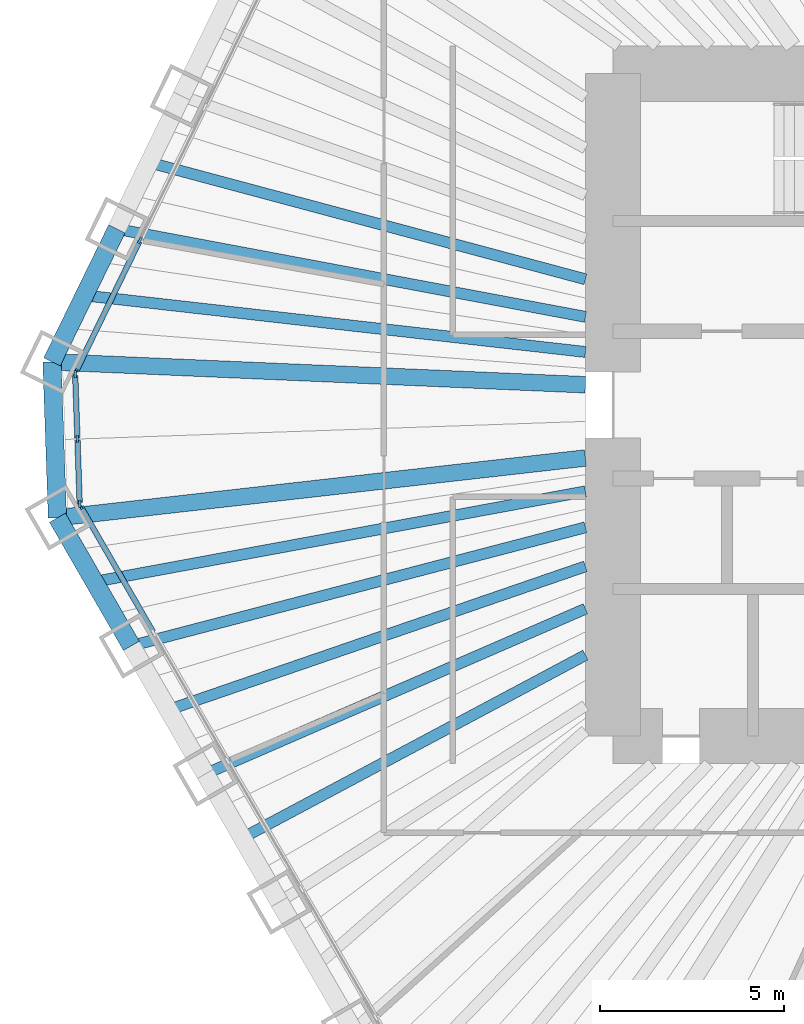
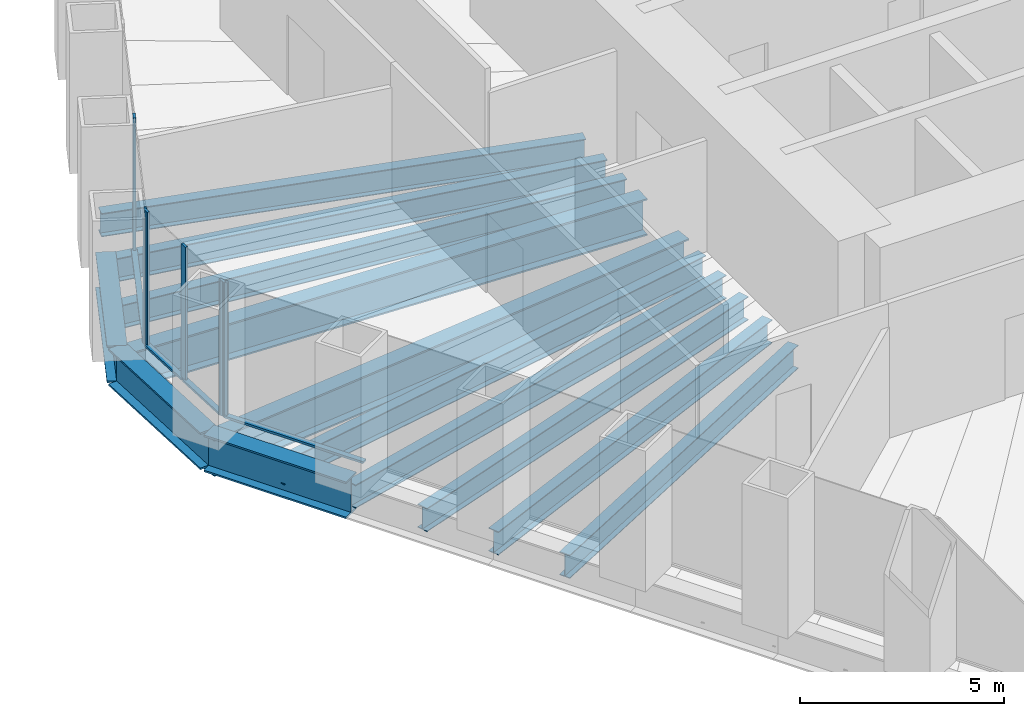
# One storey, part 3 of 13: 13 beams, 10 members, 3 elements without a shape of their own.
"""IFC4 building model written with IfcOpenShell, lengths in metres."""

from ifc_helpers import new_model, si_unit, direction, frame, origin, origin_2d, place, context, subcontext, project, spatial, rectangle, i_section, extrude, material, material_profile, profile_set, type_object, element, aggregate, save


model = new_model("IFC4")

# Units and contexts
model_context = context("Model", 3, precision=1e-05, world=origin(), true_north=direction((0.0, 1.0)))
body_context = subcontext(model_context, "Body", "Model", "MODEL_VIEW")
ifc_project = project(units=[si_unit("LENGTHUNIT", "METRE"), si_unit("AREAUNIT", "SQUARE_METRE"), si_unit("VOLUMEUNIT", "CUBIC_METRE"), si_unit("PLANEANGLEUNIT", "RADIAN"), si_unit("MASSUNIT", "GRAM", prefix="KILO")], contexts=[model_context])

# Site, building, storey
site_placement = place(None, origin())
site = spatial("IfcSite", under=ifc_project, at=site_placement, CompositionType="ELEMENT")
building_placement = place(site_placement, origin())
building = spatial("IfcBuilding", under=site, at=building_placement, Name="Qingtian Harvest Tower", CompositionType="ELEMENT")
storey_placement = place(building_placement, frame((0.0, 0.0, 128.199951171875)))
storey = spatial("IfcBuildingStorey", under=building, at=storey_placement, Name="L26", CompositionType="ELEMENT", Elevation=128.199951171875)

# Beams
ifc_material_1 = material(Name="Steel SM570MC", Category="steel")
ifc_material_profile_1 = material_profile(ifc_material_1, i_section(OverallWidth=0.449951171875, OverallDepth=1.10009765625, WebThickness=0.02197265625, FlangeThickness=0.044921875, at=origin_2d()), Name="H1100x450x22x45")
ifc_profile_set_1 = profile_set([ifc_material_profile_1], Name="Steel SM570MC")
beam_type_1 = type_object("IfcBeamType", Name="Corner floor beam FB8 H1100x450x22x45", PredefinedType="BEAM", material=ifc_profile_set_1)
beam_1_placement = place(storey_placement, frame((-27.096923828125, -3.066650390625, -0.719970703125), z_axis=(0.993656070393, 0.112461610213, 0.0), x_axis=(-0.112461610213, 0.993656070393, 0.0)))
element("IfcBeam", 1, at=beam_1_placement, inside=storey, type_object=beam_type_1, Name="Floor beam FB8 SW6", PredefinedType="BEAM", context=body_context, shape_type="SweptSolid", body=[
    extrude(i_section(OverallWidth=0.449951171875, OverallDepth=1.10009765625, WebThickness=0.02197265625, FlangeThickness=0.044921875, at=origin_2d()), origin(), (0.0, 0.0, 1.0), 14.4384765625),
])
beam_2_placement = place(storey_placement, frame((-27.244873046875, 1.1689453125, -0.719970703125), z_axis=(0.999081074678, -0.042860310542, 0.0), x_axis=(0.042860310542, 0.999081074678, 0.0)))
element("IfcBeam", 2, at=beam_2_placement, inside=storey, type_object=beam_type_1, Name="Floor beam FB8 NW0", PredefinedType="BEAM", context=body_context, shape_type="SweptSolid", body=[
    extrude(i_section(OverallWidth=0.449951171875, OverallDepth=1.10009765625, WebThickness=0.02197265625, FlangeThickness=0.044921875, at=origin_2d()), origin(), (0.0, 0.0, 1.0), 14.50830078125),
])
ifc_material_2 = material(Name="Steel SN490B", Category="steel")
ifc_material_profile_2 = material_profile(ifc_material_2, i_section(OverallWidth=0.300048828125, OverallDepth=0.699951171875, WebThickness=0.012939453125, FlangeThickness=0.02392578125, at=origin_2d()), Name="H700x300x13x24")
ifc_profile_set_2 = profile_set([ifc_material_profile_2], Name="Steel SN490B")
beam_type_2 = type_object("IfcBeamType", Name="Floor beam FB2 H700x300x13x24", PredefinedType="BEAM", material=ifc_profile_set_2)
beam_3_placement = place(storey_placement, frame((-23.077880859375, -10.02783203125, -0.52001953125), z_axis=(0.917154138631, 0.398532666154, 0.0), x_axis=(-0.398532666154, 0.917154138631, 0.0)))
element("IfcBeam", 3, at=beam_3_placement, inside=storey, type_object=beam_type_2, Name="Floor beam FB2 SW4", PredefinedType="BEAM", context=body_context, shape_type="SweptSolid", body=[
    extrude(i_section(OverallWidth=0.300048828125, OverallDepth=0.699951171875, WebThickness=0.012939453125, FlangeThickness=0.02392578125, at=origin_2d()), origin(), (0.0, 0.0, 1.0), 11.2607421875),
])
beam_4_placement = place(storey_placement, frame((-25.08740234375, -6.547119140625, -0.52001953125), z_axis=(0.967592867696, 0.252515429991, 0.0), x_axis=(-0.252515429991, 0.967592867696, 0.0)))
element("IfcBeam", 4, at=beam_4_placement, inside=storey, type_object=beam_type_2, Name="Floor beam FB2 SW5", PredefinedType="BEAM", context=body_context, shape_type="SweptSolid", body=[
    extrude(i_section(OverallWidth=0.300048828125, OverallDepth=0.699951171875, WebThickness=0.012939453125, FlangeThickness=0.02392578125, at=origin_2d()), origin(), (0.0, 0.0, 1.0), 12.750732421875),
])
beam_5_placement = place(storey_placement, frame((-25.483154296875, 4.78125, -0.52001953125), z_axis=(0.982851913913, -0.184396625015, 0.0), x_axis=(0.184396625015, 0.982851913913, 0.0)))
element("IfcBeam", 5, at=beam_5_placement, inside=storey, type_object=beam_type_2, Name="Floor beam FB2 NW1", PredefinedType="BEAM", context=body_context, shape_type="SweptSolid", body=[
    extrude(i_section(OverallWidth=0.300048828125, OverallDepth=0.699951171875, WebThickness=0.012939453125, FlangeThickness=0.02392578125, at=origin_2d()), origin(), (0.0, 0.0, 1.0), 12.955322265625),
])
ifc_material_3 = material(Name="Steel SN490B", Category="steel")
ifc_material_profile_3 = material_profile(ifc_material_3, i_section(OverallWidth=0.300048828125, OverallDepth=0.699951171875, WebThickness=0.012939453125, FlangeThickness=0.02392578125, at=origin_2d()), Name="H700x300x13x24")
ifc_profile_set_3 = profile_set([ifc_material_profile_3], Name="Steel SN490B")
beam_type_3 = type_object("IfcBeamType", Name="Floor joist J2 H700x300x13x24", PredefinedType="JOIST", material=ifc_profile_set_3)
beam_6_placement = place(storey_placement, frame((-22.0732421875, -11.76806640625, -0.52001953125), z_axis=(0.882429048443, 0.47044550637, 0.0), x_axis=(-0.47044550637, 0.882429048443, 0.0)))
element("IfcBeam", 6, at=beam_6_placement, inside=storey, type_object=beam_type_3, Name="Floor joist J2 SW3", PredefinedType="JOIST", context=body_context, shape_type="SweptSolid", body=[
    extrude(i_section(OverallWidth=0.300048828125, OverallDepth=0.699951171875, WebThickness=0.012939453125, FlangeThickness=0.02392578125, at=origin_2d()), origin(), (0.0, 0.0, 1.0), 10.5654296875),
])
beam_7_placement = place(storey_placement, frame((-24.082763671875, -8.28759765625, -0.52001953125), z_axis=(0.945577150072, 0.325397992099, 0.0), x_axis=(-0.325397992099, 0.945577150072, 0.0)))
element("IfcBeam", 7, at=beam_7_placement, inside=storey, type_object=beam_type_3, Name="Floor joist J2 SW4", PredefinedType="JOIST", context=body_context, shape_type="SweptSolid", body=[
    extrude(i_section(OverallWidth=0.300048828125, OverallDepth=0.699951171875, WebThickness=0.012939453125, FlangeThickness=0.02392578125, at=origin_2d()), origin(), (0.0, 0.0, 1.0), 11.985107421875),
])
beam_8_placement = place(storey_placement, frame((-26.09228515625, -4.806884765625, -0.52001953125), z_axis=(0.983450319804, 0.181178002192, 0.0), x_axis=(-0.181178002192, 0.983450319804, 0.0)))
element("IfcBeam", 8, at=beam_8_placement, inside=storey, type_object=beam_type_3, Name="Floor joist J2 SW5", PredefinedType="JOIST", context=body_context, shape_type="SweptSolid", body=[
    extrude(i_section(OverallWidth=0.300048828125, OverallDepth=0.699951171875, WebThickness=0.012939453125, FlangeThickness=0.02392578125, at=origin_2d()), origin(), (0.0, 0.0, 1.0), 13.56689453125),
])
beam_9_placement = place(storey_placement, frame((-26.364013671875, 2.97509765625, -0.52001953125), z_axis=(0.993692330348, -0.112140771387, 0.0), x_axis=(0.112140771387, 0.993692330348, 0.0)))
element("IfcBeam", 9, at=beam_9_placement, inside=storey, type_object=beam_type_3, Name="Floor joist J2 NW0", PredefinedType="JOIST", context=body_context, shape_type="SweptSolid", body=[
    extrude(i_section(OverallWidth=0.300048828125, OverallDepth=0.699951171875, WebThickness=0.012939453125, FlangeThickness=0.02392578125, at=origin_2d()), origin(), (0.0, 0.0, 1.0), 13.700439453125),
])
beam_10_placement = place(storey_placement, frame((-24.60205078125, 6.58740234375, -0.52001953125), z_axis=(0.965969893862, -0.258654526641, 0.0), x_axis=(0.258654526641, 0.965969893862, 0.0)))
element("IfcBeam", 10, at=beam_10_placement, inside=storey, type_object=beam_type_3, Name="Floor joist J2 NW1", PredefinedType="JOIST", context=body_context, shape_type="SweptSolid", body=[
    extrude(i_section(OverallWidth=0.300048828125, OverallDepth=0.699951171875, WebThickness=0.012939453125, FlangeThickness=0.02392578125, at=origin_2d()), origin(), (0.0, 0.0, 1.0), 12.26953125),
])

# Curtain wall, member
ifc_material_4 = material(Name="Bronze-anodised aluminium curtain wall", Category="aluminium")
curtain_wall_type = type_object("IfcCurtainWallType", Name="Curtain wall CW4 office", PredefinedType="USERDEFINED", material=ifc_material_4)
curtain_wall_1_placement = place(storey_placement, origin())
curtain_wall_1 = element("IfcCurtainWall", 11, at=curtain_wall_1_placement, inside=storey, type_object=curtain_wall_type, Name="Curtain wall CW4 L26 SW0-5", ObjectType="RECESSED CURTAIN WALL", PredefinedType="USERDEFINED")
ifc_material_5 = material(Name="Bronze-anodised aluminium mullion", Category="aluminium")
ifc_material_profile_4 = material_profile(ifc_material_5, rectangle(XDim=0.06494140625, YDim=0.199951171875, at=origin_2d()), Name="AL 65x200")
ifc_profile_set_4 = profile_set([ifc_material_profile_4], Name="Bronze-anodised aluminium mullion")
member_type_1 = type_object("IfcMemberType", Name="Mullion CWM 65x200", PredefinedType="MULLION", material=ifc_profile_set_4)
member_1_placement = place(storey_placement, frame((-26.474609375, -2.744873046875, 0.0), z_axis=(0.0, 0.0, 1.0), x_axis=(-0.866025403784, -0.5, 0.0)))
member_1 = element("IfcMember", 12, at=member_1_placement, type_object=member_type_1, Name="CW4 mullion 7", PredefinedType="MULLION", context=body_context, shape_type="SweptSolid", body=[
    extrude(rectangle(XDim=0.06494140625, YDim=0.199951171875, at=origin_2d()), origin(), (0.0, 0.0, 1.0), 4.030029296875),
])

# Curtain wall, members
curtain_wall_2_placement = place(storey_placement, origin())
curtain_wall_2 = element("IfcCurtainWall", 13, at=curtain_wall_2_placement, inside=storey, type_object=curtain_wall_type, Name="Curtain wall CW4 L26 SWC", ObjectType="RECESSED CURTAIN WALL", PredefinedType="USERDEFINED")
member_2_placement = place(storey_placement, frame((-26.491943359375, -2.68408203125, 0.0), z_axis=(0.0, 0.0, 1.0), x_axis=(-0.999390827019, -0.034899496703, 0.0)))
member_2 = element("IfcMember", 14, at=member_2_placement, type_object=member_type_1, Name="CW4 mullion 1", PredefinedType="MULLION", context=body_context, shape_type="SweptSolid", body=[
    extrude(rectangle(XDim=0.06494140625, YDim=0.199951171875, at=origin_2d()), origin(), (0.0, 0.0, 1.0), 4.030029296875),
])
member_3_placement = place(storey_placement, frame((-26.55322265625, -0.92724609375, 0.0), z_axis=(0.0, 0.0, 1.0), x_axis=(-0.999390827019, -0.034899496703, 0.0)))
member_3 = element("IfcMember", 15, at=member_3_placement, type_object=member_type_1, Name="CW4 mullion 2", PredefinedType="MULLION", context=body_context, shape_type="SweptSolid", body=[
    extrude(rectangle(XDim=0.06494140625, YDim=0.199951171875, at=origin_2d()), origin(), (0.0, 0.0, 1.0), 4.030029296875),
])
member_4_placement = place(storey_placement, frame((-26.614501953125, 0.82958984375, 0.0), z_axis=(0.0, 0.0, 1.0), x_axis=(-0.999390827019, -0.034899496703, 0.0)))
member_4 = element("IfcMember", 16, at=member_4_placement, type_object=member_type_1, Name="CW4 mullion 3", PredefinedType="MULLION", context=body_context, shape_type="SweptSolid", body=[
    extrude(rectangle(XDim=0.06494140625, YDim=0.199951171875, at=origin_2d()), origin(), (0.0, 0.0, 1.0), 4.030029296875),
])

curtain_wall_3_placement = place(storey_placement, origin())
curtain_wall_3 = element("IfcCurtainWall", 17, at=curtain_wall_3_placement, inside=storey, type_object=curtain_wall_type, Name="Curtain wall CW4 L26 NW0-5", ObjectType="RECESSED CURTAIN WALL", PredefinedType="USERDEFINED")
member_5_placement = place(storey_placement, frame((-26.6015625, 0.891357421875, 0.0), z_axis=(0.0, 0.0, 1.0), x_axis=(-0.898794046299, 0.438371146789, 0.0)))
member_5 = element("IfcMember", 18, at=member_5_placement, type_object=member_type_1, Name="CW4 mullion 1", PredefinedType="MULLION", context=body_context, shape_type="SweptSolid", body=[
    extrude(rectangle(XDim=0.06494140625, YDim=0.199951171875, at=origin_2d()), origin(), (0.0, 0.0, 1.0), 4.030029296875),
])
member_6_placement = place(storey_placement, frame((-24.85400390625, 4.474365234375, 0.0), z_axis=(0.0, 0.0, 1.0), x_axis=(-0.898794046299, 0.438371146789, 0.0)))
member_6 = element("IfcMember", 19, at=member_6_placement, type_object=member_type_1, Name="CW4 mullion 2", PredefinedType="MULLION", context=body_context, shape_type="SweptSolid", body=[
    extrude(rectangle(XDim=0.06494140625, YDim=0.199951171875, at=origin_2d()), origin(), (0.0, 0.0, 1.0), 4.030029296875),
])

# Beams
ifc_material_6 = material(Name="Steel SM570MC", Category="steel")
ifc_material_profile_5 = material_profile(ifc_material_6, i_section(OverallWidth=0.5, OverallDepth=1.10009765625, WebThickness=0.02490234375, FlangeThickness=0.050048828125, at=origin_2d()), Name="H1100x500x25x50")
ifc_profile_set_5 = profile_set([ifc_material_profile_5], Name="Steel SM570MC")
beam_type_4 = type_object("IfcBeamType", Name="Spandrel beam SB2 H1100x500x25x50", PredefinedType="SPANDREL", material=ifc_profile_set_5)
beam_11_placement = place(storey_placement, frame((-25.08740234375, -6.547119140625, -0.550048828125), z_axis=(-0.500013420409, 0.866017655369, 0.0), x_axis=(-0.866017655369, -0.500013420409, 0.0)))
element("IfcBeam", 20, at=beam_11_placement, inside=storey, type_object=beam_type_4, Name="Spandrel SB2 SW5", PredefinedType="SPANDREL", context=body_context, shape_type="SweptSolid", body=[
    extrude(i_section(OverallWidth=0.5, OverallDepth=1.10009765625, WebThickness=0.02490234375, FlangeThickness=0.050048828125, at=origin_2d()), origin(), (0.0, 0.0, 1.0), 4.01904296875),
])
beam_12_placement = place(storey_placement, frame((-27.096923828125, -3.066650390625, -0.550048828125), z_axis=(-0.034908677553, 0.999390506375, 0.0), x_axis=(-0.999390506375, -0.034908677553, 0.0)))
element("IfcBeam", 21, at=beam_12_placement, inside=storey, type_object=beam_type_4, Name="Spandrel SB2 SWC", PredefinedType="SPANDREL", context=body_context, shape_type="SweptSolid", body=[
    extrude(i_section(OverallWidth=0.5, OverallDepth=1.10009765625, WebThickness=0.02490234375, FlangeThickness=0.050048828125, at=origin_2d()), origin(), (0.0, 0.0, 1.0), 4.23828125),
])
beam_13_placement = place(storey_placement, frame((-27.244873046875, 1.1689453125, -0.550048828125), z_axis=(0.438347033158, 0.898805806902, 0.0), x_axis=(-0.898805806902, 0.438347033158, 0.0)))
element("IfcBeam", 22, at=beam_13_placement, inside=storey, type_object=beam_type_4, Name="Spandrel SB2 NW0", PredefinedType="SPANDREL", context=body_context, shape_type="SweptSolid", body=[
    extrude(i_section(OverallWidth=0.5, OverallDepth=1.10009765625, WebThickness=0.02490234375, FlangeThickness=0.050048828125, at=origin_2d()), origin(), (0.0, 0.0, 1.0), 4.01904296875),
])

# Member
ifc_material_7 = material(Name="Bronze-anodised aluminium transom", Category="aluminium")
ifc_material_profile_6 = material_profile(ifc_material_7, rectangle(XDim=0.14990234375, YDim=0.06494140625, at=origin_2d()), Name="AL 65x150")
ifc_profile_set_6 = profile_set([ifc_material_profile_6], Name="Bronze-anodised aluminium transom")
member_type_2 = type_object("IfcMemberType", Name="Transom CWT 65x150", PredefinedType="USERDEFINED", material=ifc_profile_set_6)
member_7_placement = place(storey_placement, frame((-24.49755859375, -6.169189453125, 0.032470703125), z_axis=(-0.499975738995, 0.866039410429, 0.0), x_axis=(-0.866039410429, -0.499975738995, 0.0)))
member_7 = element("IfcMember", 23, at=member_7_placement, type_object=member_type_2, Name="CW4 transom 6.1", ObjectType="TRANSOM", PredefinedType="USERDEFINED", context=body_context, shape_type="SweptSolid", body=[
    extrude(rectangle(XDim=0.14990234375, YDim=0.06494140625, at=origin_2d()), origin(), (0.0, 0.0, 1.0), 3.921630859375),
])

aggregate(curtain_wall_1, [member_1, member_7])

member_8_placement = place(storey_placement, frame((-26.4931640625, -2.651611328125, 0.032470703125), z_axis=(-0.034899362377, 0.99939083171, 0.0), x_axis=(-0.99939083171, -0.034899362377, 0.0)))
member_8 = element("IfcMember", 24, at=member_8_placement, type_object=member_type_2, Name="CW4 transom 1.1", ObjectType="TRANSOM", PredefinedType="USERDEFINED", context=body_context, shape_type="SweptSolid", body=[
    extrude(rectangle(XDim=0.14990234375, YDim=0.06494140625, at=origin_2d()), origin(), (0.0, 0.0, 1.0), 1.69287109375),
])

member_9_placement = place(storey_placement, frame((-26.554443359375, -0.894775390625, 0.032470703125), z_axis=(-0.034899362377, 0.99939083171, 0.0), x_axis=(-0.99939083171, -0.034899362377, 0.0)))
member_9 = element("IfcMember", 25, at=member_9_placement, type_object=member_type_2, Name="CW4 transom 2.1", ObjectType="TRANSOM", PredefinedType="USERDEFINED", context=body_context, shape_type="SweptSolid", body=[
    extrude(rectangle(XDim=0.14990234375, YDim=0.06494140625, at=origin_2d()), origin(), (0.0, 0.0, 1.0), 1.69287109375),
])

aggregate(curtain_wall_2, [member_2, member_3, member_4, member_8, member_9])

member_10_placement = place(storey_placement, frame((-26.587158203125, 0.92041015625, 0.032470703125), z_axis=(0.438326734225, 0.898815706396, 0.0), x_axis=(-0.898815706396, 0.438326734225, 0.0)))
member_10 = element("IfcMember", 26, at=member_10_placement, type_object=member_type_2, Name="CW4 transom 1.1", ObjectType="TRANSOM", PredefinedType="USERDEFINED", context=body_context, shape_type="SweptSolid", body=[
    extrude(rectangle(XDim=0.14990234375, YDim=0.06494140625, at=origin_2d()), origin(), (0.0, 0.0, 1.0), 3.921630859375),
])

aggregate(curtain_wall_3, [member_5, member_6, member_10])

save(model, "model.ifc")
